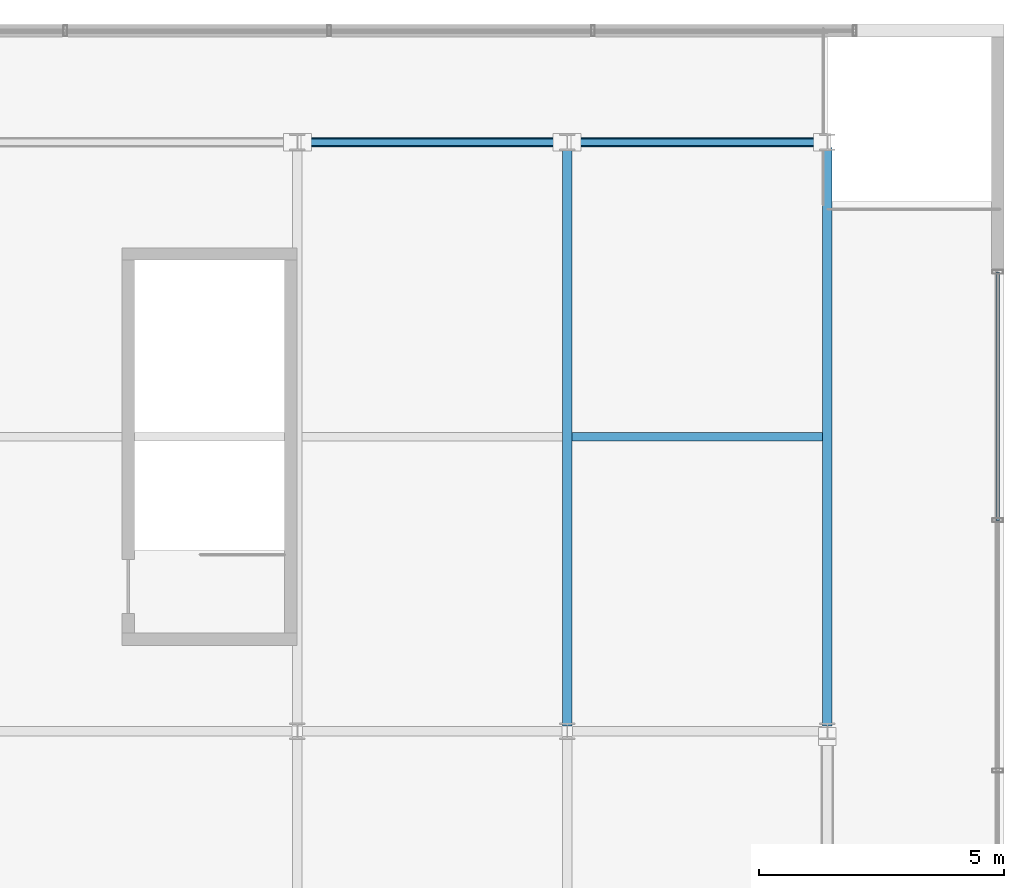
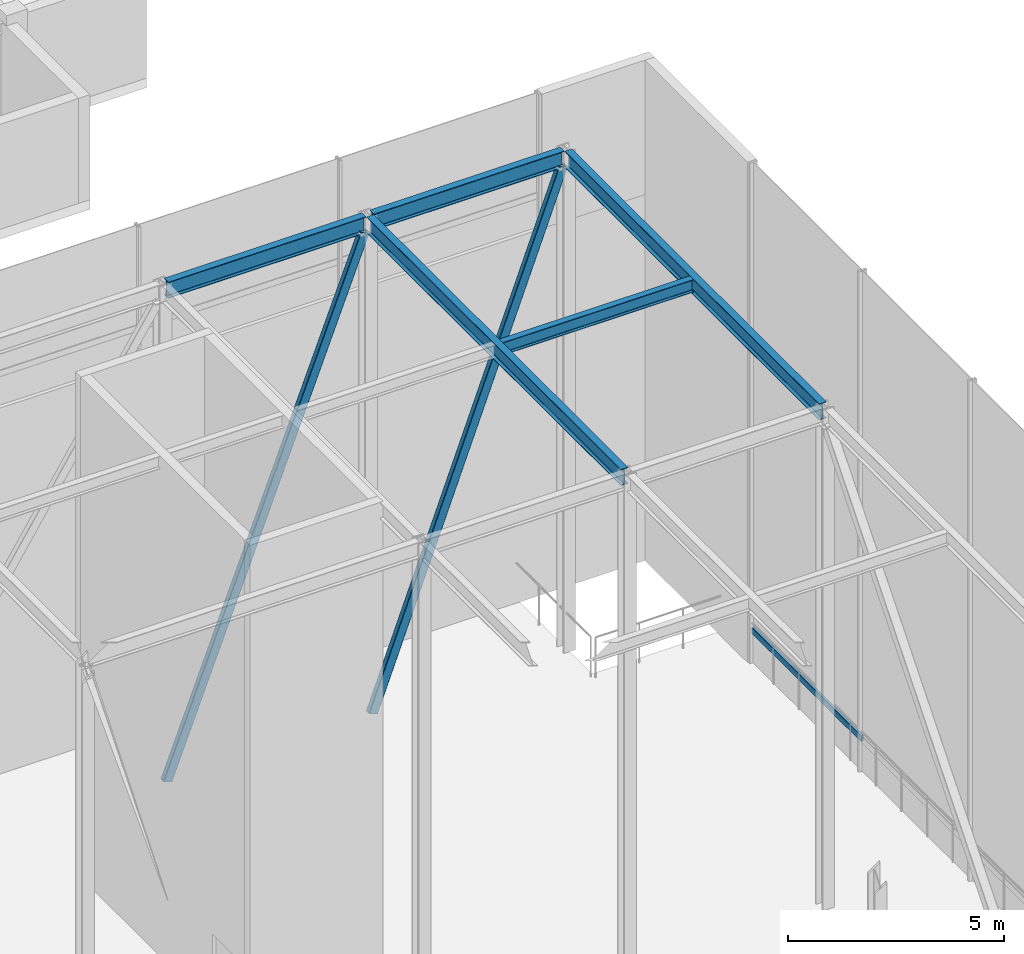
# One storey, part 27 of 42: 5 beams, 3 members, 1 element without a shape of its own.
"""IFC4 building model written with IfcOpenShell, lengths in metres."""

from ifc_helpers import new_model, si_unit, direction, frame, origin, origin_2d, place, context, subcontext, project, spatial, hollow_rectangle, i_section, extrude, material, layer, layer_set, material_profile, profile_set, type_object, element, aggregate, save


model = new_model("IFC4")

# Units and contexts
model_context = context("Model", 3, precision=1e-05, world=origin(), true_north=direction((0.0, 1.0)))
body_context = subcontext(model_context, "Body", "Model", "MODEL_VIEW")
ifc_project = project(units=[si_unit("LENGTHUNIT", "METRE"), si_unit("AREAUNIT", "SQUARE_METRE"), si_unit("VOLUMEUNIT", "CUBIC_METRE"), si_unit("PLANEANGLEUNIT", "RADIAN"), si_unit("MASSUNIT", "GRAM", prefix="KILO")], contexts=[model_context])

# Site, building, storey
site_placement = place(None, origin())
site = spatial("IfcSite", under=ifc_project, at=site_placement, CompositionType="ELEMENT")
building_placement = place(site_placement, origin())
building = spatial("IfcBuilding", under=site, at=building_placement, Name="Korimba Cascade Residences", CompositionType="ELEMENT")
storey_placement = place(building_placement, frame((0.0, 0.0, 207.60009765625)))
storey = spatial("IfcBuildingStorey", under=building, at=storey_placement, Name="L60", CompositionType="ELEMENT", Elevation=207.60009765625)

# Beams
ifc_material_1 = material(Name="Steel S355", Category="steel")
ifc_material_profile_1 = material_profile(ifc_material_1, i_section(OverallWidth=0.172119140625, OverallDepth=0.35791015625, WebThickness=0.008056640625, FlangeThickness=0.012939453125, FilletRadius=0.01025390625, at=origin_2d()), Name="Steel S355")
ifc_profile_set_1 = profile_set([ifc_material_profile_1], Name="Steel S355")
beam_type_1 = type_object("IfcBeamType", Name="BM-STL-UB356", PredefinedType="JOIST", material=ifc_profile_set_1)
beam_1_placement = place(storey_placement, frame((123.699951171875, 24.39990234375, 13.970947265625), z_axis=(1.0, 0.0, 0.0), x_axis=(0.0, 1.0, 0.0)))
element("IfcBeam", 1, at=beam_1_placement, inside=storey, type_object=beam_type_1, Name="L60 Crown Cap Joist E3.3", PredefinedType="JOIST", context=body_context, shape_type="SweptSolid", body=[
    extrude(i_section(OverallWidth=0.172119140625, OverallDepth=0.35791015625, WebThickness=0.008056640625, FlangeThickness=0.012939453125, FilletRadius=0.01025390625, at=origin_2d()), origin(), (0.0, 0.0, 1.0), 5.10009765625),
])
ifc_material_profile_2 = material_profile(ifc_material_1, i_section(OverallWidth=0.19140625, OverallDepth=0.4599609375, WebThickness=0.010009765625, FlangeThickness=0.01611328125, FilletRadius=0.01025390625, at=origin_2d()), Name="Steel S355")
ifc_profile_set_2 = profile_set([ifc_material_profile_2], Name="Steel S355")
beam_type_2 = type_object("IfcBeamType", Name="BM-STL-UB457", PredefinedType="JOIST", material=ifc_profile_set_2)
beam_2_placement = place(storey_placement, frame((118.205078125, 30.39990234375, 13.919921875), z_axis=(1.0, 0.0, 0.0), x_axis=(0.0, 1.0, 0.0)))
element("IfcBeam", 2, at=beam_2_placement, inside=storey, type_object=beam_type_2, Name="L60 Crown Cap Ring Beam E4.2", PredefinedType="JOIST", context=body_context, shape_type="SweptSolid", body=[
    extrude(i_section(OverallWidth=0.19140625, OverallDepth=0.4599609375, WebThickness=0.010009765625, FlangeThickness=0.01611328125, FilletRadius=0.01025390625, at=origin_2d()), origin(), (0.0, 0.0, 1.0), 5.2900390625),
])
beam_3_placement = place(storey_placement, frame((123.705078125, 30.39990234375, 13.919921875), z_axis=(1.0, 0.0, 0.0), x_axis=(0.0, 1.0, 0.0)))
element("IfcBeam", 3, at=beam_3_placement, inside=storey, type_object=beam_type_2, Name="L60 Crown Cap Ring Beam E4.3", PredefinedType="JOIST", context=body_context, shape_type="SweptSolid", body=[
    extrude(i_section(OverallWidth=0.19140625, OverallDepth=0.4599609375, WebThickness=0.010009765625, FlangeThickness=0.01611328125, FilletRadius=0.01025390625, at=origin_2d()), origin(), (0.0, 0.0, 1.0), 5.08984375),
])
for number, where, z_axis, x_axis, name in (
    (4, (123.60009765625, 18.5048828125, 13.919921875), (0.0, 1.0, 0.0), (-1.0, 0.0, 0.0), "L60 Crown Cap Tie Beam E3.3"),
    (5, (128.89990234375, 18.5048828125, 13.919921875), (0.0, 1.0, 0.0), (-1.0, 0.0, 0.0), "L60 Crown Cap Tie Beam E4.3"),
):
    element("IfcBeam", number, at=place(storey_placement, frame(where, z_axis=z_axis, x_axis=x_axis)), inside=storey, type_object=beam_type_2, Name=name, PredefinedType="JOIST", context=body_context, shape_type="SweptSolid", body=[
        extrude(i_section(OverallWidth=0.19140625, OverallDepth=0.4599609375, WebThickness=0.010009765625, FlangeThickness=0.01611328125, FilletRadius=0.01025390625, at=origin_2d()), origin(), (0.0, 0.0, 1.0), 11.7900390625),
    ])

# Curtain wall, member
ifc_material_2 = material(Name="Anodised Aluminium Curtain Wall Framing", Category="aluminium")
ifc_layer = layer(ifc_material_2, 0.179931640625)
ifc_layer_set = layer_set([ifc_layer], Name="Anodised Aluminium Curtain Wall Framing")
curtain_wall_type = type_object("IfcCurtainWallType", Name="CW-CRNE-SYS6", PredefinedType="NOTDEFINED", material=ifc_layer_set)
curtain_wall_placement = place(storey_placement, origin())
curtain_wall = element("IfcCurtainWall", 6, at=curtain_wall_placement, inside=storey, type_object=curtain_wall_type, Name="L60 Curtain Wall CW-L60-CRN-E-1", PredefinedType="NOTDEFINED")
ifc_material_3 = material(Name="Anodised Aluminium Transom", Category="aluminium")
ifc_material_profile_3 = material_profile(ifc_material_3, hollow_rectangle(XDim=0.070068359375, YDim=0.179931640625, WallThickness=0.0048828125, InnerFilletRadius=0.0048828125, OuterFilletRadius=0.010009765625, at=origin_2d()), Name="Anodised Aluminium Transom")
ifc_profile_set_3 = profile_set([ifc_material_profile_3], Name="Anodised Aluminium Transom")
member_type_1 = type_object("IfcMemberType", Name="CWM-TRN-150", PredefinedType="USERDEFINED", material=ifc_profile_set_3)
member_1_placement = place(storey_placement, frame((132.375, 22.699951171875, 0.89990234375), z_axis=(0.0, 1.0, 0.0), x_axis=(-1.0, 0.0, 0.0)))
member_1 = element("IfcMember", 7, at=member_1_placement, type_object=member_type_1, Name="CW-L60-CRN-E-1 Transom 6", ObjectType="TRANSOM", PredefinedType="USERDEFINED", context=body_context, shape_type="SweptSolid", body=[
    extrude(hollow_rectangle(XDim=0.070068359375, YDim=0.179931640625, WallThickness=0.0048828125, InnerFilletRadius=0.0048828125, OuterFilletRadius=0.010009765625, at=origin_2d()), origin(), (0.0, 0.0, 1.0), 5.06005859375),
])
aggregate(curtain_wall, [member_1])

# Members
ifc_material_profile_4 = material_profile(ifc_material_1, hollow_rectangle(XDim=0.14990234375, YDim=0.25, WallThickness=0.009033203125, InnerFilletRadius=0.009033203125, OuterFilletRadius=0.01806640625, at=origin_2d()), Name="Steel S355")
ifc_profile_set_4 = profile_set([ifc_material_profile_4], Name="Steel S355")
member_type_2 = type_object("IfcMemberType", Name="MEM-CRN-RHS250", PredefinedType="BRACE", material=ifc_profile_set_4)
member_2_placement = place(storey_placement, frame((118.205078125, 30.39990234375, 0.0), z_axis=(0.360309176498, 0.0, 0.932832941813), x_axis=(0.0, 1.0, 0.0)))
element("IfcMember", 8, at=member_2_placement, inside=storey, type_object=member_type_2, Name="L60 CROWN FRAME Diagonal Brace E4.2", PredefinedType="BRACE", context=body_context, shape_type="SweptSolid", body=[
    extrude(hollow_rectangle(XDim=0.14990234375, YDim=0.25, WallThickness=0.009033203125, InnerFilletRadius=0.009033203125, OuterFilletRadius=0.01806640625, at=origin_2d()), origin(), (0.0, 0.0, 1.0), 14.681884765625),
])
member_3_placement = place(storey_placement, frame((123.705078125, 30.39990234375, 0.0), z_axis=(0.348356853903, 0.0, 0.937361991089), x_axis=(0.0, 1.0, 0.0)))
element("IfcMember", 9, at=member_3_placement, inside=storey, type_object=member_type_2, Name="L60 CROWN FRAME Diagonal Brace E4.3", PredefinedType="BRACE", context=body_context, shape_type="SweptSolid", body=[
    extrude(hollow_rectangle(XDim=0.14990234375, YDim=0.25, WallThickness=0.009033203125, InnerFilletRadius=0.009033203125, OuterFilletRadius=0.01806640625, at=origin_2d()), origin(), (0.0, 0.0, 1.0), 14.611083984375),
])

save(model, "model.ifc")
